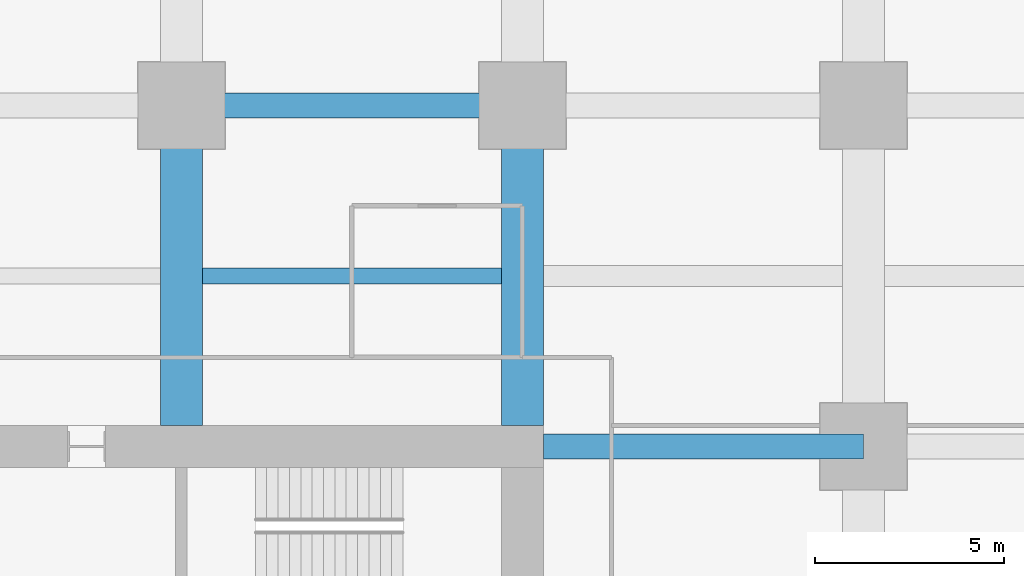
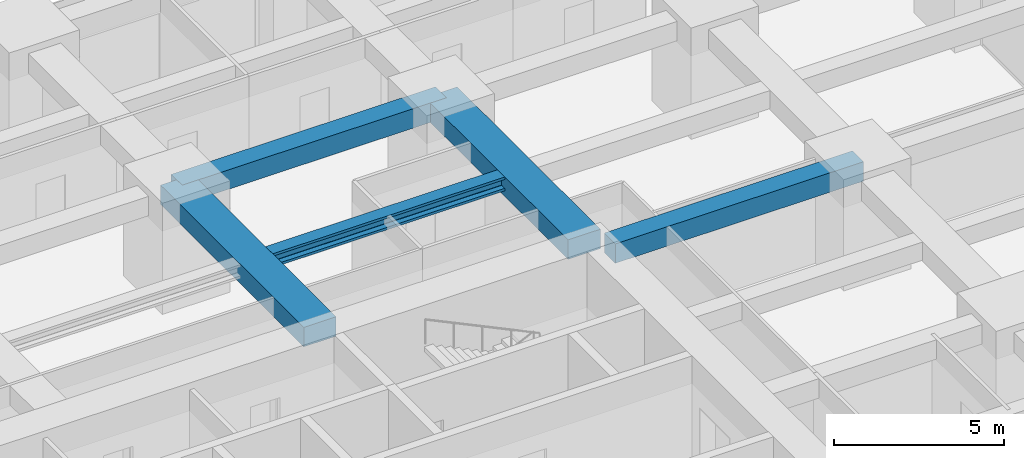
# One storey, part 31 of 44: 5 beams.
"""IFC4 building model written with IfcOpenShell, lengths in metres."""

from ifc_helpers import new_model, si_unit, direction, frame, origin, origin_2d, place, context, subcontext, project, spatial, rectangle, i_section, extrude, material, material_profile, profile_set, type_object, element, save


model = new_model("IFC4")

# Units and contexts
model_context = context("Model", 3, precision=1e-05, world=origin(), true_north=direction((0.0, 1.0)))
body_context = subcontext(model_context, "Body", "Model", "MODEL_VIEW")
ifc_project = project(units=[si_unit("LENGTHUNIT", "METRE"), si_unit("AREAUNIT", "SQUARE_METRE"), si_unit("VOLUMEUNIT", "CUBIC_METRE"), si_unit("PLANEANGLEUNIT", "RADIAN"), si_unit("MASSUNIT", "GRAM", prefix="KILO")], contexts=[model_context])

# Site, building, storey
site_placement = place(None, origin())
site = spatial("IfcSite", under=ifc_project, at=site_placement, CompositionType="ELEMENT")
building_placement = place(site_placement, origin())
building = spatial("IfcBuilding", under=site, at=building_placement, Name="Zorevar Civic Tower", CompositionType="ELEMENT")
storey_placement = place(building_placement, frame((0.0, 0.0, 31.800048828125)))
storey = spatial("IfcBuildingStorey", under=building, at=storey_placement, Name="L07", CompositionType="ELEMENT", Elevation=31.800048828125)

# Beams
ifc_material_1 = material(Name="Concrete C50/60", Category="concrete")
ifc_material_profile_1 = material_profile(ifc_material_1, rectangle(XDim=1.10009765625, YDim=0.699951171875, at=origin_2d()), Name="RC 1100x700")
ifc_profile_set_1 = profile_set([ifc_material_profile_1], Name="Concrete C50/60")
beam_type_1 = type_object("IfcBeamType", Name="Beam RC 1100x700", PredefinedType="BEAM", material=ifc_profile_set_1)
for number, where, z_axis, x_axis, name in (
    (1, (36.0, 36.550048828125, 3.39990234375), (0.0, 1.0, 0.0), (-1.0, 0.0, 0.0), "Girder L08"),
    (2, (45.0, 36.550048828125, 3.39990234375), (0.0, 1.0, 0.0), (-1.0, 0.0, 0.0), "Girder L08"),
):
    element("IfcBeam", number, at=place(storey_placement, frame(where, z_axis=z_axis, x_axis=x_axis)), inside=storey, type_object=beam_type_1, Name=name, PredefinedType="BEAM", context=body_context, shape_type="SweptSolid", body=[
        extrude(rectangle(XDim=1.10009765625, YDim=0.699951171875, at=origin_2d()), origin(), (0.0, 0.0, 1.0), 8.449951171875),
    ])
ifc_material_2 = material(Name="Concrete C50/60", Category="concrete")
ifc_material_profile_2 = material_profile(ifc_material_2, rectangle(XDim=0.64990234375, YDim=0.699951171875, at=origin_2d()), Name="RC 650x700")
ifc_profile_set_2 = profile_set([ifc_material_profile_2], Name="Concrete C50/60")
beam_type_2 = type_object("IfcBeamType", Name="Beam RC 650x700", PredefinedType="BEAM", material=ifc_profile_set_2)
beam_1_placement = place(storey_placement, frame((45.550048828125, 36.0, 3.39990234375), z_axis=(1.0, 0.0, 0.0), x_axis=(0.0, 1.0, 0.0)))
element("IfcBeam", 3, at=beam_1_placement, inside=storey, type_object=beam_type_2, Name="Girder L08", PredefinedType="BEAM", context=body_context, shape_type="SweptSolid", body=[
    extrude(rectangle(XDim=0.64990234375, YDim=0.699951171875, at=origin_2d()), origin(), (0.0, 0.0, 1.0), 8.449951171875),
])
beam_2_placement = place(storey_placement, frame((36.0, 45.0, 3.39990234375), z_axis=(1.0, 0.0, 0.0), x_axis=(0.0, 1.0, 0.0)))
element("IfcBeam", 4, at=beam_2_placement, inside=storey, type_object=beam_type_2, Name="Girder L08", PredefinedType="BEAM", context=body_context, shape_type="SweptSolid", body=[
    extrude(rectangle(XDim=0.64990234375, YDim=0.699951171875, at=origin_2d()), origin(), (0.0, 0.0, 1.0), 9.0),
])
ifc_material_3 = material(Name="Steel S460M (HISTAR 460)", Category="steel")
ifc_material_profile_3 = material_profile(ifc_material_3, i_section(OverallWidth=0.431884765625, OverallDepth=0.498046875, WebThickness=0.0556640625, FlangeThickness=0.0888671875, FilletRadius=0.014892578125, at=origin_2d()), Name="HD 400x744")
ifc_profile_set_3 = profile_set([ifc_material_profile_3], Name="Steel S460M (HISTAR 460)")
beam_type_3 = type_object("IfcBeamType", Name="Core bay beam HD 400x744", PredefinedType="BEAM", material=ifc_profile_set_3)
beam_3_placement = place(storey_placement, frame((36.550048828125, 40.5, 3.5009765625), z_axis=(1.0, 0.0, 0.0), x_axis=(0.0, 1.0, 0.0)))
element("IfcBeam", 5, at=beam_3_placement, inside=storey, type_object=beam_type_3, Name="Secondary beam L08", PredefinedType="BEAM", context=body_context, shape_type="SweptSolid", body=[
    extrude(i_section(OverallWidth=0.431884765625, OverallDepth=0.498046875, WebThickness=0.0556640625, FlangeThickness=0.0888671875, FilletRadius=0.014892578125, at=origin_2d()), origin(), (0.0, 0.0, 1.0), 7.89990234375),
])

save(model, "model.ifc")
